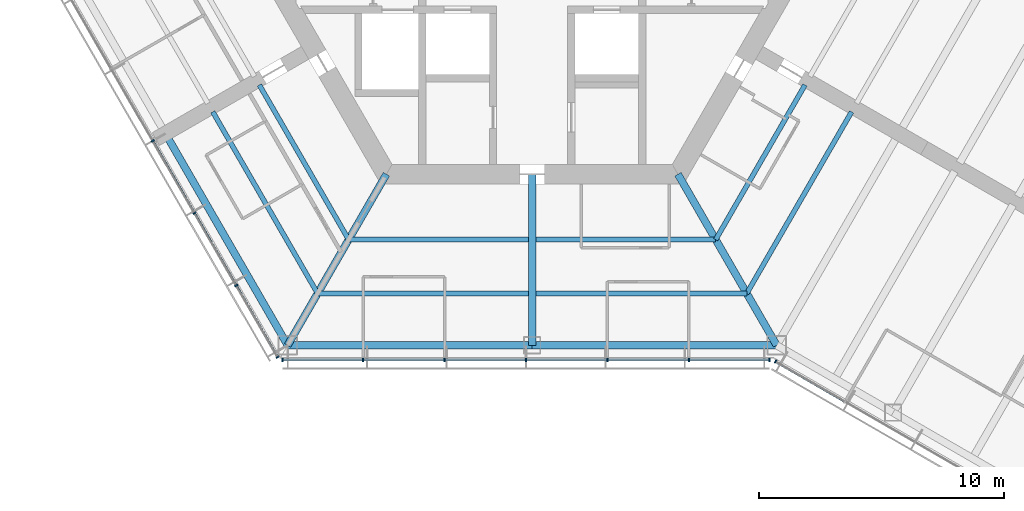
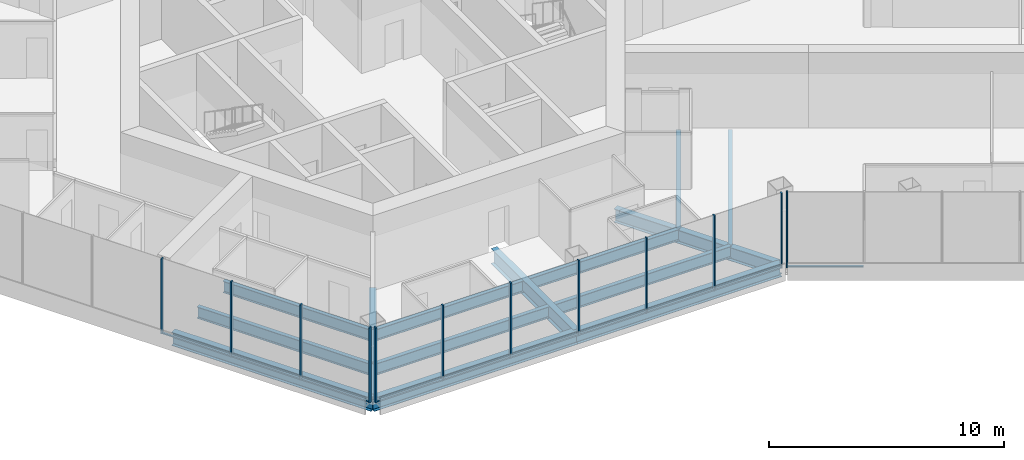
# One storey, part 2 of 17: 22 members, 14 beams, 3 elements without a shape of their own.
"""IFC4 building model written with IfcOpenShell, lengths in metres."""

from ifc_helpers import new_model, si_unit, direction, frame, origin, origin_2d, place, context, subcontext, project, spatial, rectangle, i_section, extrude, material, material_profile, profile_set, type_object, element, aggregate, save


model = new_model("IFC4")

# Units and contexts
model_context = context("Model", 3, precision=1e-05, world=origin(), true_north=direction((0.0, 1.0)))
body_context = subcontext(model_context, "Body", "Model", "MODEL_VIEW")
ifc_project = project(units=[si_unit("LENGTHUNIT", "METRE"), si_unit("AREAUNIT", "SQUARE_METRE"), si_unit("VOLUMEUNIT", "CUBIC_METRE"), si_unit("PLANEANGLEUNIT", "RADIAN"), si_unit("MASSUNIT", "GRAM", prefix="KILO")], contexts=[model_context])

# Site, building, storey
site_placement = place(None, origin())
site = spatial("IfcSite", under=ifc_project, at=site_placement, CompositionType="ELEMENT")
building_placement = place(site_placement, origin())
building = spatial("IfcBuilding", under=site, at=building_placement, Name="Kasaneha Research Tower", CompositionType="ELEMENT")
storey_placement = place(building_placement, frame((0.0, 0.0, 228.39990234375)))
storey = spatial("IfcBuildingStorey", under=building, at=storey_placement, Name="L57", CompositionType="ELEMENT", Elevation=228.39990234375)

# Beams
ifc_material_1 = material(Name="Steel SN490B", Category="steel")
ifc_material_profile_1 = material_profile(ifc_material_1, i_section(OverallWidth=0.199951171875, OverallDepth=0.60009765625, WebThickness=0.010986328125, FlangeThickness=0.01708984375, FilletRadius=0.012939453125, at=origin_2d()), Name="H-600x200x11x17")
ifc_profile_set_1 = profile_set([ifc_material_profile_1], Name="Steel SN490B")
beam_type_1 = type_object("IfcBeamType", Name="B1-3 secondary beam H-600x200x11x17", PredefinedType="JOIST", material=ifc_profile_set_1)
beam_1_placement = place(storey_placement, frame((-7.505615234375, -13.0, -0.449951171875), z_axis=(-0.499999192304, 0.866025870108, 0.0), x_axis=(-0.866025870108, -0.499999192304, 0.0)))
element("IfcBeam", 1, at=beam_1_placement, inside=storey, type_object=beam_type_1, Name="Secondary beam RS210R1 L57", PredefinedType="JOIST", context=body_context, shape_type="SweptSolid", body=[
    extrude(i_section(OverallWidth=0.199951171875, OverallDepth=0.60009765625, WebThickness=0.010986328125, FlangeThickness=0.01708984375, FilletRadius=0.012939453125, at=origin_2d()), origin(), (0.0, 0.0, 1.0), 7.3056640625),
])
beam_2_placement = place(storey_placement, frame((-8.775634765625, -15.199951171875, -0.449951171875), z_axis=(-0.500000102728, 0.866025344474, 0.0), x_axis=(-0.866025344474, -0.500000102728, 0.0)))
element("IfcBeam", 2, at=beam_2_placement, inside=storey, type_object=beam_type_1, Name="Secondary beam RS210R2 L57", PredefinedType="JOIST", context=body_context, shape_type="SweptSolid", body=[
    extrude(i_section(OverallWidth=0.199951171875, OverallDepth=0.60009765625, WebThickness=0.010986328125, FlangeThickness=0.01708984375, FilletRadius=0.012939453125, at=origin_2d()), origin(), (0.0, 0.0, 1.0), 8.57568359375),
])
beam_3_placement = place(storey_placement, frame((-7.505615234375, -13.0, -0.449951171875), z_axis=(1.0, 0.0, 0.0), x_axis=(0.0, 1.0, 0.0)))
element("IfcBeam", 3, at=beam_3_placement, inside=storey, type_object=beam_type_1, Name="Secondary beam RS270L1 L57", PredefinedType="JOIST", context=body_context, shape_type="SweptSolid", body=[
    extrude(i_section(OverallWidth=0.199951171875, OverallDepth=0.60009765625, WebThickness=0.010986328125, FlangeThickness=0.01708984375, FilletRadius=0.012939453125, at=origin_2d()), origin(), (0.0, 0.0, 1.0), 7.355712890625),
])
beam_4_placement = place(storey_placement, frame((-8.775634765625, -15.199951171875, -0.449951171875), z_axis=(1.0, 0.0, 0.0), x_axis=(0.0, 1.0, 0.0)))
element("IfcBeam", 4, at=beam_4_placement, inside=storey, type_object=beam_type_1, Name="Secondary beam RS270L2 L57", PredefinedType="JOIST", context=body_context, shape_type="SweptSolid", body=[
    extrude(i_section(OverallWidth=0.199951171875, OverallDepth=0.60009765625, WebThickness=0.010986328125, FlangeThickness=0.01708984375, FilletRadius=0.012939453125, at=origin_2d()), origin(), (0.0, 0.0, 1.0), 8.625732421875),
])
beam_5_placement = place(storey_placement, frame((7.505615234375, -13.0, -0.449951171875), z_axis=(-1.0, 0.0, 0.0), x_axis=(0.0, -1.0, 0.0)))
element("IfcBeam", 5, at=beam_5_placement, inside=storey, type_object=beam_type_1, Name="Secondary beam RS270R1 L57", PredefinedType="JOIST", context=body_context, shape_type="SweptSolid", body=[
    extrude(i_section(OverallWidth=0.199951171875, OverallDepth=0.60009765625, WebThickness=0.010986328125, FlangeThickness=0.01708984375, FilletRadius=0.012939453125, at=origin_2d()), origin(), (0.0, 0.0, 1.0), 7.355712890625),
])
beam_6_placement = place(storey_placement, frame((8.775634765625, -15.199951171875, -0.449951171875), z_axis=(-1.0, 0.0, 0.0), x_axis=(0.0, -1.0, 0.0)))
element("IfcBeam", 6, at=beam_6_placement, inside=storey, type_object=beam_type_1, Name="Secondary beam RS270R2 L57", PredefinedType="JOIST", context=body_context, shape_type="SweptSolid", body=[
    extrude(i_section(OverallWidth=0.199951171875, OverallDepth=0.60009765625, WebThickness=0.010986328125, FlangeThickness=0.01708984375, FilletRadius=0.012939453125, at=origin_2d()), origin(), (0.0, 0.0, 1.0), 8.625732421875),
])
beam_7_placement = place(storey_placement, frame((7.505615234375, -13.0, -0.449951171875), z_axis=(0.499999192304, 0.866025870108, 0.0), x_axis=(-0.866025870108, 0.499999192304, 0.0)))
element("IfcBeam", 7, at=beam_7_placement, inside=storey, type_object=beam_type_1, Name="Secondary beam RS330L1 L57", PredefinedType="JOIST", context=body_context, shape_type="SweptSolid", body=[
    extrude(i_section(OverallWidth=0.199951171875, OverallDepth=0.60009765625, WebThickness=0.010986328125, FlangeThickness=0.01708984375, FilletRadius=0.012939453125, at=origin_2d()), origin(), (0.0, 0.0, 1.0), 7.3056640625),
])
beam_8_placement = place(storey_placement, frame((8.775634765625, -15.199951171875, -0.449951171875), z_axis=(0.500000102728, 0.866025344474, 0.0), x_axis=(-0.866025344474, 0.500000102728, 0.0)))
element("IfcBeam", 8, at=beam_8_placement, inside=storey, type_object=beam_type_1, Name="Secondary beam RS330L2 L57", PredefinedType="JOIST", context=body_context, shape_type="SweptSolid", body=[
    extrude(i_section(OverallWidth=0.199951171875, OverallDepth=0.60009765625, WebThickness=0.010986328125, FlangeThickness=0.01708984375, FilletRadius=0.012939453125, at=origin_2d()), origin(), (0.0, 0.0, 1.0), 8.57568359375),
])

# Curtain wall, members
ifc_material_2 = material(Name="Glass and aluminium", Category="aluminium")
curtain_wall_type = type_object("IfcCurtainWallType", Name="High-rise office curtain wall", PredefinedType="USERDEFINED", material=ifc_material_2)
curtain_wall_1_placement = place(storey_placement, origin())
curtain_wall_1 = element("IfcCurtainWall", 9, at=curtain_wall_1_placement, inside=storey, type_object=curtain_wall_type, Name="CW-O3 L57 run 04a", ObjectType="UNITISED CURTAIN WALL", PredefinedType="USERDEFINED")
ifc_material_3 = material(Name="Aluminium 6063-T6", Category="aluminium")
ifc_material_profile_2 = material_profile(ifc_material_3, rectangle(XDim=0.06005859375, YDim=0.139892578125, at=origin_2d()), Name="CW-O3 mullion 60x140")
ifc_profile_set_2 = profile_set([ifc_material_profile_2], Name="Aluminium 6063-T6")
member_type_1 = type_object("IfcMemberType", Name="CW-O3 mullion", PredefinedType="MULLION", material=ifc_profile_set_2)
member_1_placement = place(storey_placement, frame((-15.51953125, -8.960205078125, 0.0), z_axis=(0.0, 0.0, 1.0), x_axis=(0.499999995722, -0.866025406254, 0.0)))
member_1 = element("IfcMember", 10, at=member_1_placement, type_object=member_type_1, Name="CW-O3 mullion 4", PredefinedType="MULLION", context=body_context, shape_type="SweptSolid", body=[
    extrude(rectangle(XDim=0.06005859375, YDim=0.139892578125, at=origin_2d()), origin(), (0.0, 0.0, 1.0), 3.900146484375),
])
member_2_placement = place(storey_placement, frame((-13.811767578125, -11.918212890625, 0.0), z_axis=(0.0, 0.0, 1.0), x_axis=(0.499999995722, -0.866025406254, 0.0)))
member_2 = element("IfcMember", 11, at=member_2_placement, type_object=member_type_1, Name="CW-O3 mullion 5", PredefinedType="MULLION", context=body_context, shape_type="SweptSolid", body=[
    extrude(rectangle(XDim=0.06005859375, YDim=0.139892578125, at=origin_2d()), origin(), (0.0, 0.0, 1.0), 3.900146484375),
])
member_3_placement = place(storey_placement, frame((-12.104248046875, -14.8759765625, 0.0), z_axis=(0.0, 0.0, 1.0), x_axis=(0.499999995722, -0.866025406254, 0.0)))
member_3 = element("IfcMember", 12, at=member_3_placement, type_object=member_type_1, Name="CW-O3 mullion 6", PredefinedType="MULLION", context=body_context, shape_type="SweptSolid", body=[
    extrude(rectangle(XDim=0.06005859375, YDim=0.139892578125, at=origin_2d()), origin(), (0.0, 0.0, 1.0), 3.900146484375),
])
member_4_placement = place(storey_placement, frame((-10.411376953125, -17.807861328125, 0.0), z_axis=(0.0, 0.0, 1.0), x_axis=(0.499999995722, -0.866025406254, 0.0)))
member_4 = element("IfcMember", 13, at=member_4_placement, type_object=member_type_1, Name="CW-O3 mullion 7", PredefinedType="MULLION", context=body_context, shape_type="SweptSolid", body=[
    extrude(rectangle(XDim=0.06005859375, YDim=0.139892578125, at=origin_2d()), origin(), (0.0, 0.0, 1.0), 3.900146484375),
])

curtain_wall_2_placement = place(storey_placement, origin())
curtain_wall_2 = element("IfcCurtainWall", 14, at=curtain_wall_2_placement, inside=storey, type_object=curtain_wall_type, Name="CW-O3 L57 run 05a", ObjectType="UNITISED CURTAIN WALL", PredefinedType="USERDEFINED")
member_5_placement = place(storey_placement, frame((-10.21630859375, -17.92041015625, 0.0), z_axis=(0.0, 0.0, 1.0), x_axis=(1.0, 0.0, 0.0)))
member_5 = element("IfcMember", 15, at=member_5_placement, type_object=member_type_1, Name="CW-O3 mullion 1", PredefinedType="MULLION", context=body_context, shape_type="SweptSolid", body=[
    extrude(rectangle(XDim=0.06005859375, YDim=0.139892578125, at=origin_2d()), origin(), (0.0, 0.0, 1.0), 3.900146484375),
])
member_6_placement = place(storey_placement, frame((-6.91552734375, -17.92041015625, 0.0), z_axis=(0.0, 0.0, 1.0), x_axis=(1.0, 0.0, 0.0)))
member_6 = element("IfcMember", 16, at=member_6_placement, type_object=member_type_1, Name="CW-O3 mullion 2", PredefinedType="MULLION", context=body_context, shape_type="SweptSolid", body=[
    extrude(rectangle(XDim=0.06005859375, YDim=0.139892578125, at=origin_2d()), origin(), (0.0, 0.0, 1.0), 3.900146484375),
])
member_7_placement = place(storey_placement, frame((-3.58447265625, -17.92041015625, 0.0), z_axis=(0.0, 0.0, 1.0), x_axis=(1.0, 0.0, 0.0)))
member_7 = element("IfcMember", 17, at=member_7_placement, type_object=member_type_1, Name="CW-O3 mullion 3", PredefinedType="MULLION", context=body_context, shape_type="SweptSolid", body=[
    extrude(rectangle(XDim=0.06005859375, YDim=0.139892578125, at=origin_2d()), origin(), (0.0, 0.0, 1.0), 3.900146484375),
])
member_8_placement = place(storey_placement, frame((-0.253662109375, -17.92041015625, 0.0), z_axis=(0.0, 0.0, 1.0), x_axis=(1.0, 0.0, 0.0)))
member_8 = element("IfcMember", 18, at=member_8_placement, type_object=member_type_1, Name="CW-O3 mullion 4", PredefinedType="MULLION", context=body_context, shape_type="SweptSolid", body=[
    extrude(rectangle(XDim=0.06005859375, YDim=0.139892578125, at=origin_2d()), origin(), (0.0, 0.0, 1.0), 3.900146484375),
])
member_9_placement = place(storey_placement, frame((3.077392578125, -17.92041015625, 0.0), z_axis=(0.0, 0.0, 1.0), x_axis=(1.0, 0.0, 0.0)))
member_9 = element("IfcMember", 19, at=member_9_placement, type_object=member_type_1, Name="CW-O3 mullion 5", PredefinedType="MULLION", context=body_context, shape_type="SweptSolid", body=[
    extrude(rectangle(XDim=0.06005859375, YDim=0.139892578125, at=origin_2d()), origin(), (0.0, 0.0, 1.0), 3.900146484375),
])
member_10_placement = place(storey_placement, frame((6.408203125, -17.92041015625, 0.0), z_axis=(0.0, 0.0, 1.0), x_axis=(1.0, 0.0, 0.0)))
member_10 = element("IfcMember", 20, at=member_10_placement, type_object=member_type_1, Name="CW-O3 mullion 6", PredefinedType="MULLION", context=body_context, shape_type="SweptSolid", body=[
    extrude(rectangle(XDim=0.06005859375, YDim=0.139892578125, at=origin_2d()), origin(), (0.0, 0.0, 1.0), 3.900146484375),
])
member_11_placement = place(storey_placement, frame((9.709228515625, -17.92041015625, 0.0), z_axis=(0.0, 0.0, 1.0), x_axis=(1.0, 0.0, 0.0)))
member_11 = element("IfcMember", 21, at=member_11_placement, type_object=member_type_1, Name="CW-O3 mullion 7", PredefinedType="MULLION", context=body_context, shape_type="SweptSolid", body=[
    extrude(rectangle(XDim=0.06005859375, YDim=0.139892578125, at=origin_2d()), origin(), (0.0, 0.0, 1.0), 3.900146484375),
])

# Curtain wall, member
curtain_wall_3_placement = place(storey_placement, origin())
curtain_wall_3 = element("IfcCurtainWall", 22, at=curtain_wall_3_placement, inside=storey, type_object=curtain_wall_type, Name="CW-O3 L57 run 06a", ObjectType="UNITISED CURTAIN WALL", PredefinedType="USERDEFINED")
member_12_placement = place(storey_placement, frame((9.951904296875, -17.985595703125, 0.0), z_axis=(0.0, 0.0, 1.0), x_axis=(0.866025411464, -0.499999986699, 0.0)))
member_12 = element("IfcMember", 23, at=member_12_placement, type_object=member_type_1, Name="CW-O3 mullion 1", PredefinedType="MULLION", context=body_context, shape_type="SweptSolid", body=[
    extrude(rectangle(XDim=0.06005859375, YDim=0.139892578125, at=origin_2d()), origin(), (0.0, 0.0, 1.0), 3.900146484375),
])

# Member
ifc_material_4 = material(Name="Aluminium 6063-T6", Category="aluminium")
ifc_material_profile_3 = material_profile(ifc_material_4, rectangle(XDim=0.10009765625, YDim=0.06005859375, at=origin_2d()), Name="CW-O3 transom 100x60")
ifc_profile_set_3 = profile_set([ifc_material_profile_3], Name="Aluminium 6063-T6")
member_type_2 = type_object("IfcMemberType", Name="CW-O3 transom", PredefinedType="USERDEFINED", material=ifc_profile_set_3)
member_13_placement = place(storey_placement, frame((-15.504638671875, -8.986328125, 0.030029296875), z_axis=(0.500020578564, -0.866013522419, 0.0), x_axis=(0.866013522419, 0.500020578564, 0.0)))
member_13 = element("IfcMember", 24, at=member_13_placement, type_object=member_type_2, Name="CW-O3 transom 4", ObjectType="TRANSOM", PredefinedType="USERDEFINED", context=body_context, shape_type="SweptSolid", body=[
    extrude(rectangle(XDim=0.10009765625, YDim=0.06005859375, at=origin_2d()), origin(), (0.0, 0.0, 1.0), 3.355224609375),
])

member_14_placement = place(storey_placement, frame((-13.796875, -11.944091796875, 0.030029296875), z_axis=(0.499989072476, -0.866031712701, 0.0), x_axis=(0.866031712701, 0.499989072476, 0.0)))
member_14 = element("IfcMember", 25, at=member_14_placement, type_object=member_type_2, Name="CW-O3 transom 5", ObjectType="TRANSOM", PredefinedType="USERDEFINED", context=body_context, shape_type="SweptSolid", body=[
    extrude(rectangle(XDim=0.10009765625, YDim=0.06005859375, at=origin_2d()), origin(), (0.0, 0.0, 1.0), 3.35546875),
])

member_15_placement = place(storey_placement, frame((-12.089111328125, -14.902099609375, 0.030029296875), z_axis=(0.49997666526, -0.866038875684, 0.0), x_axis=(0.866038875684, 0.49997666526, 0.0)))
member_15 = element("IfcMember", 26, at=member_15_placement, type_object=member_type_2, Name="CW-O3 transom 6", ObjectType="TRANSOM", PredefinedType="USERDEFINED", context=body_context, shape_type="SweptSolid", body=[
    extrude(rectangle(XDim=0.10009765625, YDim=0.06005859375, at=origin_2d()), origin(), (0.0, 0.0, 1.0), 3.325439453125),
])

aggregate(curtain_wall_1, [member_1, member_2, member_3, member_4, member_13, member_14, member_15])

member_16_placement = place(storey_placement, frame((-10.1865234375, -17.92041015625, 0.030029296875), z_axis=(1.0, 0.0, 0.0), x_axis=(0.0, 1.0, 0.0)))
member_16 = element("IfcMember", 27, at=member_16_placement, type_object=member_type_2, Name="CW-O3 transom 1", ObjectType="TRANSOM", PredefinedType="USERDEFINED", context=body_context, shape_type="SweptSolid", body=[
    extrude(rectangle(XDim=0.10009765625, YDim=0.06005859375, at=origin_2d()), origin(), (0.0, 0.0, 1.0), 3.240966796875),
])

member_17_placement = place(storey_placement, frame((-6.885498046875, -17.92041015625, 0.030029296875), z_axis=(1.0, 0.0, 0.0), x_axis=(0.0, 1.0, 0.0)))
member_17 = element("IfcMember", 28, at=member_17_placement, type_object=member_type_2, Name="CW-O3 transom 2", ObjectType="TRANSOM", PredefinedType="USERDEFINED", context=body_context, shape_type="SweptSolid", body=[
    extrude(rectangle(XDim=0.10009765625, YDim=0.06005859375, at=origin_2d()), origin(), (0.0, 0.0, 1.0), 3.27099609375),
])

member_18_placement = place(storey_placement, frame((-3.554443359375, -17.92041015625, 0.030029296875), z_axis=(1.0, 0.0, 0.0), x_axis=(0.0, 1.0, 0.0)))
member_18 = element("IfcMember", 29, at=member_18_placement, type_object=member_type_2, Name="CW-O3 transom 3", ObjectType="TRANSOM", PredefinedType="USERDEFINED", context=body_context, shape_type="SweptSolid", body=[
    extrude(rectangle(XDim=0.10009765625, YDim=0.06005859375, at=origin_2d()), origin(), (0.0, 0.0, 1.0), 3.270751953125),
])

member_19_placement = place(storey_placement, frame((-0.2236328125, -17.92041015625, 0.030029296875), z_axis=(1.0, 0.0, 0.0), x_axis=(0.0, 1.0, 0.0)))
member_19 = element("IfcMember", 30, at=member_19_placement, type_object=member_type_2, Name="CW-O3 transom 4", ObjectType="TRANSOM", PredefinedType="USERDEFINED", context=body_context, shape_type="SweptSolid", body=[
    extrude(rectangle(XDim=0.10009765625, YDim=0.06005859375, at=origin_2d()), origin(), (0.0, 0.0, 1.0), 3.27099609375),
])

member_20_placement = place(storey_placement, frame((3.107421875, -17.92041015625, 0.030029296875), z_axis=(1.0, 0.0, 0.0), x_axis=(0.0, 1.0, 0.0)))
member_20 = element("IfcMember", 31, at=member_20_placement, type_object=member_type_2, Name="CW-O3 transom 5", ObjectType="TRANSOM", PredefinedType="USERDEFINED", context=body_context, shape_type="SweptSolid", body=[
    extrude(rectangle(XDim=0.10009765625, YDim=0.06005859375, at=origin_2d()), origin(), (0.0, 0.0, 1.0), 3.270751953125),
])

member_21_placement = place(storey_placement, frame((6.438232421875, -17.92041015625, 0.030029296875), z_axis=(1.0, 0.0, 0.0), x_axis=(0.0, 1.0, 0.0)))
member_21 = element("IfcMember", 32, at=member_21_placement, type_object=member_type_2, Name="CW-O3 transom 6", ObjectType="TRANSOM", PredefinedType="USERDEFINED", context=body_context, shape_type="SweptSolid", body=[
    extrude(rectangle(XDim=0.10009765625, YDim=0.06005859375, at=origin_2d()), origin(), (0.0, 0.0, 1.0), 3.240966796875),
])

aggregate(curtain_wall_2, [member_5, member_6, member_7, member_8, member_9, member_10, member_11, member_16, member_17, member_18, member_19, member_20, member_21])

member_22_placement = place(storey_placement, frame((9.977783203125, -18.00048828125, 0.030029296875), z_axis=(0.866022692473, -0.500004696101, 0.0), x_axis=(0.500004696101, 0.866022692473, 0.0)))
member_22 = element("IfcMember", 33, at=member_22_placement, type_object=member_type_2, Name="CW-O3 transom 1", ObjectType="TRANSOM", PredefinedType="USERDEFINED", context=body_context, shape_type="SweptSolid", body=[
    extrude(rectangle(XDim=0.10009765625, YDim=0.06005859375, at=origin_2d()), origin(), (0.0, 0.0, 1.0), 3.2197265625),
])

aggregate(curtain_wall_3, [member_12, member_22])

# Beams
ifc_material_5 = material(Name="Steel SN490B", Category="steel")
ifc_material_profile_4 = material_profile(ifc_material_5, i_section(OverallWidth=0.300048828125, OverallDepth=0.699951171875, WebThickness=0.012939453125, FlangeThickness=0.02392578125, FilletRadius=0.01806640625, at=origin_2d()), Name="H-700x300x13x24")
ifc_profile_set_4 = profile_set([ifc_material_profile_4], Name="Steel SN490B")
beam_type_2 = type_object("IfcBeamType", Name="G1-3 radial girder H-700x300x13x24", PredefinedType="BEAM", material=ifc_profile_set_4)
for number, where, z_axis, x_axis, name in (
    (34, (-5.961181640625, -10.324951171875, -0.5), (-0.49999105496, -0.866030568144, 0.0), (0.866030568144, -0.49999105496, 0.0), "Radial girder RV240 L57"),
    (35, (5.961181640625, -10.324951171875, -0.5), (0.49999105496, -0.866030568144, 0.0), (0.866030568144, 0.49999105496, 0.0), "Radial girder RV300 L57"),
):
    element("IfcBeam", number, at=place(storey_placement, frame(where, z_axis=z_axis, x_axis=x_axis)), inside=storey, type_object=beam_type_2, Name=name, PredefinedType="BEAM", context=body_context, shape_type="SweptSolid", body=[
        extrude(i_section(OverallWidth=0.300048828125, OverallDepth=0.699951171875, WebThickness=0.012939453125, FlangeThickness=0.02392578125, FilletRadius=0.01806640625, at=origin_2d()), origin(), (0.0, 0.0, 1.0), 8.077880859375),
    ])
ifc_material_6 = material(Name="Steel SN490B", Category="steel")
ifc_material_profile_5 = material_profile(ifc_material_6, i_section(OverallWidth=0.300048828125, OverallDepth=0.800048828125, WebThickness=0.013916015625, FlangeThickness=0.02587890625, FilletRadius=0.01806640625, at=origin_2d()), Name="H-800x300x14x26")
ifc_profile_set_5 = profile_set([ifc_material_profile_5], Name="Steel SN490B")
beam_type_3 = type_object("IfcBeamType", Name="G2-3 radial girder H-800x300x14x26", PredefinedType="BEAM", material=ifc_profile_set_5)
beam_9_placement = place(storey_placement, frame((0.0, -10.324951171875, -0.5498046875), z_axis=(0.0, -1.0, 0.0), x_axis=(1.0, 0.0, 0.0)))
element("IfcBeam", 36, at=beam_9_placement, inside=storey, type_object=beam_type_3, Name="Radial girder RM270 L57", PredefinedType="BEAM", context=body_context, shape_type="SweptSolid", body=[
    extrude(i_section(OverallWidth=0.300048828125, OverallDepth=0.800048828125, WebThickness=0.013916015625, FlangeThickness=0.02587890625, FilletRadius=0.01806640625, at=origin_2d()), origin(), (0.0, 0.0, 1.0), 6.99560546875),
])
ifc_material_7 = material(Name="Steel SN490B", Category="steel")
ifc_material_profile_6 = material_profile(ifc_material_7, i_section(OverallWidth=0.300048828125, OverallDepth=0.69189453125, WebThickness=0.012939453125, FlangeThickness=0.02001953125, FilletRadius=0.01806640625, at=origin_2d()), Name="H-692x300x13x20")
ifc_profile_set_6 = profile_set([ifc_material_profile_6], Name="Steel SN490B")
beam_type_4 = type_object("IfcBeamType", Name="G3-3 plate edge girder H-692x300x13x20", PredefinedType="BEAM", material=ifc_profile_set_6)
beam_10_placement = place(storey_placement, frame((-10.0, -17.320556640625, -0.495849609375), z_axis=(-0.49999201416, 0.866030014362, 0.0), x_axis=(-0.866030014362, -0.49999201416, 0.0)))
element("IfcBeam", 37, at=beam_10_placement, inside=storey, type_object=beam_type_4, Name="Plate edge girder PEBN L57", PredefinedType="BEAM", context=body_context, shape_type="SweptSolid", body=[
    extrude(i_section(OverallWidth=0.300048828125, OverallDepth=0.69189453125, WebThickness=0.012939453125, FlangeThickness=0.02001953125, FilletRadius=0.01806640625, at=origin_2d()), origin(), (0.0, 0.0, 1.0), 9.800048828125),
])
ifc_material_8 = material(Name="Steel SN490B", Category="steel")
ifc_material_profile_7 = material_profile(ifc_material_8, i_section(OverallWidth=0.300048828125, OverallDepth=0.69189453125, WebThickness=0.012939453125, FlangeThickness=0.02001953125, FilletRadius=0.01806640625, at=origin_2d()), Name="H-692x300x13x20")
ifc_profile_set_7 = profile_set([ifc_material_profile_7], Name="Steel SN490B")
beam_type_5 = type_object("IfcBeamType", Name="SB1-3 spandrel beam H-692x300x13x20", PredefinedType="SPANDREL", material=ifc_profile_set_7)
for number, where, z_axis, x_axis, name in (
    (38, (-10.0, -17.320556640625, -0.495849609375), (1.0, 0.0, 0.0), (0.0, 1.0, 0.0), "Spandrel beam SR270L L57"),
    (39, (10.0, -17.320556640625, -0.495849609375), (-1.0, 0.0, 0.0), (0.0, -1.0, 0.0), "Spandrel beam SR270R L57"),
):
    element("IfcBeam", number, at=place(storey_placement, frame(where, z_axis=z_axis, x_axis=x_axis)), inside=storey, type_object=beam_type_5, Name=name, PredefinedType="SPANDREL", context=body_context, shape_type="SweptSolid", body=[
        extrude(i_section(OverallWidth=0.300048828125, OverallDepth=0.69189453125, WebThickness=0.012939453125, FlangeThickness=0.02001953125, FilletRadius=0.01806640625, at=origin_2d()), origin(), (0.0, 0.0, 1.0), 10.0),
    ])

save(model, "model.ifc")
